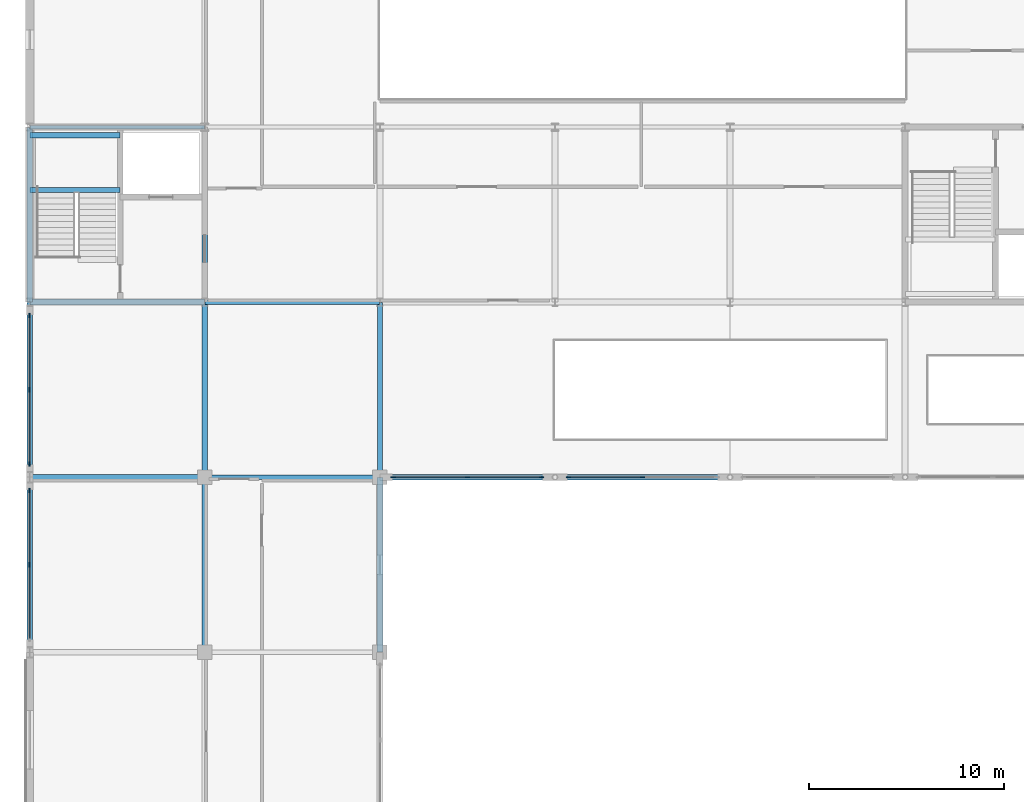
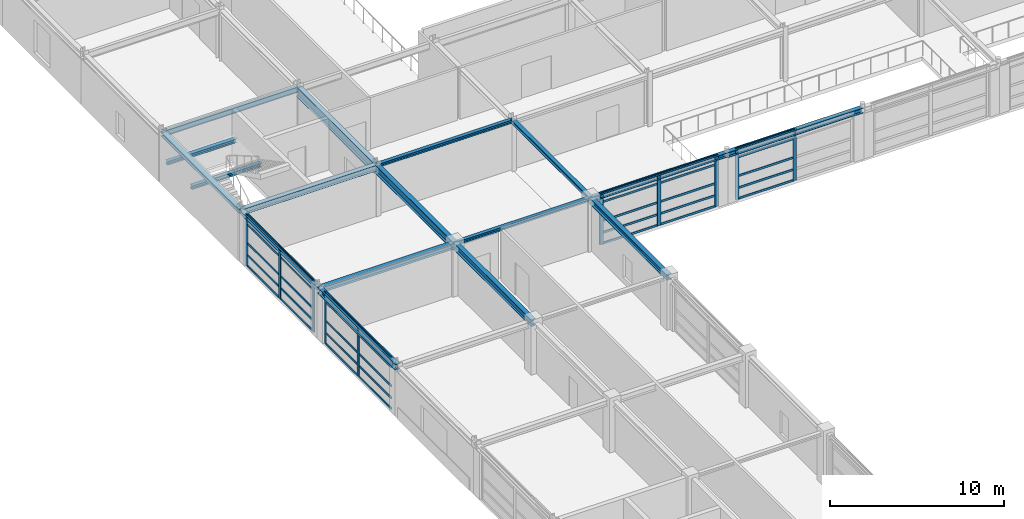
# One storey, part 31 of 79: 45 members, 17 beams, 4 elements without a shape of their own.
"""IFC4 building model written with IfcOpenShell, lengths in metres."""

from ifc_helpers import new_model, si_unit, direction, frame, origin, origin_2d, place, context, subcontext, project, spatial, rectangle, i_section, extrude, material, material_profile, profile_set, type_object, element, aggregate, save


model = new_model("IFC4")

# Units and contexts
model_context = context("Model", 3, precision=1e-05, world=origin(), true_north=direction((0.0, 1.0)))
body_context = subcontext(model_context, "Body", "Model", "MODEL_VIEW")
ifc_project = project(units=[si_unit("LENGTHUNIT", "METRE"), si_unit("AREAUNIT", "SQUARE_METRE"), si_unit("VOLUMEUNIT", "CUBIC_METRE"), si_unit("PLANEANGLEUNIT", "RADIAN"), si_unit("MASSUNIT", "GRAM", prefix="KILO")], contexts=[model_context])

# Site, building, storey
site_placement = place(None, origin())
site = spatial("IfcSite", under=ifc_project, at=site_placement, CompositionType="ELEMENT")
building_placement = place(site_placement, origin())
building = spatial("IfcBuilding", under=site, at=building_placement, Name="Palais des Congres Ocreval", CompositionType="ELEMENT")
storey_placement = place(building_placement, frame((0.0, 0.0, 4.320068359375)))
storey = spatial("IfcBuildingStorey", under=building, at=storey_placement, Name="L01", CompositionType="ELEMENT", Elevation=4.320068359375)

# Beam
ifc_material_1 = material(Name="Steel S355", Category="steel")
ifc_material_profile_1 = material_profile(ifc_material_1, i_section(OverallWidth=0.179931640625, OverallDepth=0.39990234375, WebThickness=0.008544921875, FlangeThickness=0.013427734375, at=origin_2d()), Name="IPE 400")
ifc_profile_set_1 = profile_set([ifc_material_profile_1], Name="Steel S355")
beam_type_1 = type_object("IfcBeamType", Name="Composite Beam IPE 400 Steel S355", PredefinedType="BEAM", material=ifc_profile_set_1)
beam_1_placement = place(storey_placement, frame((0.02001953125, 90.0, 3.3798828125), z_axis=(1.0, 0.0, 0.0), x_axis=(0.0, 1.0, 0.0)))
element("IfcBeam", 1, at=beam_1_placement, inside=storey, type_object=beam_type_1, Name="Beam B02 L01", PredefinedType="BEAM", context=body_context, shape_type="SweptSolid", body=[
    extrude(i_section(OverallWidth=0.179931640625, OverallDepth=0.39990234375, WebThickness=0.008544921875, FlangeThickness=0.013427734375, at=origin_2d()), origin(), (0.0, 0.0, 1.0), 8.9599609375),
])

# Curtain wall, members
ifc_material_2 = material(Name="Anodized bronze aluminium and low-E glass", Category="glass")
curtain_wall_type = type_object("IfcCurtainWallType", Name="Unitised Curtain Wall 7900x3660", PredefinedType="USERDEFINED", material=ifc_material_2)
curtain_wall_1_placement = place(storey_placement, origin())
curtain_wall_1 = element("IfcCurtainWall", 2, at=curtain_wall_1_placement, inside=storey, type_object=curtain_wall_type, Name="Unitised Curtain Wall CW02 L01", ObjectType="UNITISED CURTAIN WALL", PredefinedType="USERDEFINED")
ifc_material_3 = material(Name="Anodized bronze aluminium", Category="aluminium")
ifc_material_profile_2 = material_profile(ifc_material_3, rectangle(XDim=0.074951171875, YDim=0.239990234375, at=origin_2d()), Name="ALU 75x240")
ifc_profile_set_2 = profile_set([ifc_material_profile_2], Name="Anodized bronze aluminium")
member_type_1 = type_object("IfcMemberType", Name="Curtain Wall Mullion ALU 75x240", PredefinedType="MULLION", material=ifc_profile_set_2)
member_1_placement = place(storey_placement, frame((0.0, 67.5, 0.0), z_axis=(0.0, 0.0, 1.0), x_axis=(-1.0, 0.0, 0.0)))
member_1 = element("IfcMember", 3, at=member_1_placement, type_object=member_type_1, Name="Curtain Wall Mullion ML01", PredefinedType="MULLION", context=body_context, shape_type="SweptSolid", body=[
    extrude(rectangle(XDim=0.074951171875, YDim=0.239990234375, at=origin_2d()), origin(), (0.0, 0.0, 1.0), 3.599853515625),
])
member_2_placement = place(storey_placement, frame((0.0, 71.3125, 0.0), z_axis=(0.0, 0.0, 1.0), x_axis=(-1.0, 0.0, 0.0)))
member_2 = element("IfcMember", 4, at=member_2_placement, type_object=member_type_1, Name="Curtain Wall Mullion ML01", PredefinedType="MULLION", context=body_context, shape_type="SweptSolid", body=[
    extrude(rectangle(XDim=0.074951171875, YDim=0.239990234375, at=origin_2d()), origin(), (0.0, 0.0, 1.0), 3.599853515625),
])

curtain_wall_2_placement = place(storey_placement, origin())
curtain_wall_2 = element("IfcCurtainWall", 5, at=curtain_wall_2_placement, inside=storey, type_object=curtain_wall_type, Name="Unitised Curtain Wall CW02 L01", ObjectType="UNITISED CURTAIN WALL", PredefinedType="USERDEFINED")
member_3_placement = place(storey_placement, frame((0.0, 72.6875, 0.0), z_axis=(0.0, 0.0, 1.0), x_axis=(-1.0, 0.0, 0.0)))
member_3 = element("IfcMember", 6, at=member_3_placement, type_object=member_type_1, Name="Curtain Wall Mullion ML01", PredefinedType="MULLION", context=body_context, shape_type="SweptSolid", body=[
    extrude(rectangle(XDim=0.074951171875, YDim=0.239990234375, at=origin_2d()), origin(), (0.0, 0.0, 1.0), 3.58984375),
])
member_4_placement = place(storey_placement, frame((0.0, 76.5, 0.0), z_axis=(0.0, 0.0, 1.0), x_axis=(-1.0, 0.0, 0.0)))
member_4 = element("IfcMember", 7, at=member_4_placement, type_object=member_type_1, Name="Curtain Wall Mullion ML01", PredefinedType="MULLION", context=body_context, shape_type="SweptSolid", body=[
    extrude(rectangle(XDim=0.074951171875, YDim=0.239990234375, at=origin_2d()), origin(), (0.0, 0.0, 1.0), 3.58984375),
])
member_5_placement = place(storey_placement, frame((0.0, 80.3125, 0.0), z_axis=(0.0, 0.0, 1.0), x_axis=(-1.0, 0.0, 0.0)))
member_5 = element("IfcMember", 8, at=member_5_placement, type_object=member_type_1, Name="Curtain Wall Mullion ML01", PredefinedType="MULLION", context=body_context, shape_type="SweptSolid", body=[
    extrude(rectangle(XDim=0.074951171875, YDim=0.239990234375, at=origin_2d()), origin(), (0.0, 0.0, 1.0), 3.58984375),
])

curtain_wall_3_placement = place(storey_placement, origin())
curtain_wall_3 = element("IfcCurtainWall", 9, at=curtain_wall_3_placement, inside=storey, type_object=curtain_wall_type, Name="Unitised Curtain Wall CW02 L01", ObjectType="UNITISED CURTAIN WALL", PredefinedType="USERDEFINED")
member_6_placement = place(storey_placement, frame((31.5, 72.0, 0.0), z_axis=(0.0, 0.0, 1.0), x_axis=(0.0, -1.0, 0.0)))
member_6 = element("IfcMember", 10, at=member_6_placement, type_object=member_type_1, Name="Curtain Wall Mullion ML01", PredefinedType="MULLION", context=body_context, shape_type="SweptSolid", body=[
    extrude(rectangle(XDim=0.074951171875, YDim=0.239990234375, at=origin_2d()), origin(), (0.0, 0.0, 1.0), 3.58984375),
])
member_7_placement = place(storey_placement, frame((27.6875, 72.0, 0.0), z_axis=(0.0, 0.0, 1.0), x_axis=(0.0, -1.0, 0.0)))
member_7 = element("IfcMember", 11, at=member_7_placement, type_object=member_type_1, Name="Curtain Wall Mullion ML01", PredefinedType="MULLION", context=body_context, shape_type="SweptSolid", body=[
    extrude(rectangle(XDim=0.074951171875, YDim=0.239990234375, at=origin_2d()), origin(), (0.0, 0.0, 1.0), 3.58984375),
])

curtain_wall_4_placement = place(storey_placement, origin())
curtain_wall_4 = element("IfcCurtainWall", 12, at=curtain_wall_4_placement, inside=storey, type_object=curtain_wall_type, Name="Unitised Curtain Wall CW02 L01", ObjectType="UNITISED CURTAIN WALL", PredefinedType="USERDEFINED")
member_8_placement = place(storey_placement, frame((26.3125, 72.0, 0.0), z_axis=(0.0, 0.0, 1.0), x_axis=(0.0, -1.0, 0.0)))
member_8 = element("IfcMember", 13, at=member_8_placement, type_object=member_type_1, Name="Curtain Wall Mullion ML01", PredefinedType="MULLION", context=body_context, shape_type="SweptSolid", body=[
    extrude(rectangle(XDim=0.074951171875, YDim=0.239990234375, at=origin_2d()), origin(), (0.0, 0.0, 1.0), 3.58984375),
])
member_9_placement = place(storey_placement, frame((22.5, 72.0, 0.0), z_axis=(0.0, 0.0, 1.0), x_axis=(0.0, -1.0, 0.0)))
member_9 = element("IfcMember", 14, at=member_9_placement, type_object=member_type_1, Name="Curtain Wall Mullion ML01", PredefinedType="MULLION", context=body_context, shape_type="SweptSolid", body=[
    extrude(rectangle(XDim=0.074951171875, YDim=0.239990234375, at=origin_2d()), origin(), (0.0, 0.0, 1.0), 3.58984375),
])
member_10_placement = place(storey_placement, frame((18.6875, 72.0, 0.0), z_axis=(0.0, 0.0, 1.0), x_axis=(0.0, -1.0, 0.0)))
member_10 = element("IfcMember", 15, at=member_10_placement, type_object=member_type_1, Name="Curtain Wall Mullion ML01", PredefinedType="MULLION", context=body_context, shape_type="SweptSolid", body=[
    extrude(rectangle(XDim=0.074951171875, YDim=0.239990234375, at=origin_2d()), origin(), (0.0, 0.0, 1.0), 3.58984375),
])

# Member
ifc_material_profile_3 = material_profile(ifc_material_3, rectangle(XDim=0.06005859375, YDim=0.14990234375, at=origin_2d()), Name="ALU 60x150")
ifc_profile_set_3 = profile_set([ifc_material_profile_3], Name="Anodized bronze aluminium")
member_type_2 = type_object("IfcMemberType", Name="Curtain Wall Transom ALU 60x150", PredefinedType="USERDEFINED", material=ifc_profile_set_3)
member_11_placement = place(storey_placement, frame((0.0, 63.72509765625, 0.030029296875), z_axis=(0.0, 1.0, 0.0), x_axis=(-1.0, 0.0, 0.0)))
member_11 = element("IfcMember", 16, at=member_11_placement, type_object=member_type_2, Name="Curtain Wall Transom TR01", ObjectType="TRANSOM", PredefinedType="USERDEFINED", context=body_context, shape_type="SweptSolid", body=[
    extrude(rectangle(XDim=0.06005859375, YDim=0.14990234375, at=origin_2d()), origin(), (0.0, 0.0, 1.0), 3.7373046875),
])

member_12_placement = place(storey_placement, frame((0.0, 63.72509765625, 0.780029296875), z_axis=(0.0, 1.0, 0.0), x_axis=(-1.0, 0.0, 0.0)))
member_12 = element("IfcMember", 17, at=member_12_placement, type_object=member_type_2, Name="Curtain Wall Transom TR01", ObjectType="TRANSOM", PredefinedType="USERDEFINED", context=body_context, shape_type="SweptSolid", body=[
    extrude(rectangle(XDim=0.06005859375, YDim=0.14990234375, at=origin_2d()), origin(), (0.0, 0.0, 1.0), 3.7373046875),
])

member_13_placement = place(storey_placement, frame((0.0, 63.72509765625, 1.622314453125), z_axis=(0.0, 1.0, 0.0), x_axis=(-1.0, 0.0, 0.0)))
member_13 = element("IfcMember", 18, at=member_13_placement, type_object=member_type_2, Name="Curtain Wall Transom TR01", ObjectType="TRANSOM", PredefinedType="USERDEFINED", context=body_context, shape_type="SweptSolid", body=[
    extrude(rectangle(XDim=0.06005859375, YDim=0.14990234375, at=origin_2d()), origin(), (0.0, 0.0, 1.0), 3.7373046875),
])

member_14_placement = place(storey_placement, frame((0.0, 63.72509765625, 2.949951171875), z_axis=(0.0, 1.0, 0.0), x_axis=(-1.0, 0.0, 0.0)))
member_14 = element("IfcMember", 19, at=member_14_placement, type_object=member_type_2, Name="Curtain Wall Transom TR01", ObjectType="TRANSOM", PredefinedType="USERDEFINED", context=body_context, shape_type="SweptSolid", body=[
    extrude(rectangle(XDim=0.06005859375, YDim=0.14990234375, at=origin_2d()), origin(), (0.0, 0.0, 1.0), 3.7373046875),
])

member_15_placement = place(storey_placement, frame((0.0, 63.72509765625, 3.56982421875), z_axis=(0.0, 1.0, 0.0), x_axis=(-1.0, 0.0, 0.0)))
member_15 = element("IfcMember", 20, at=member_15_placement, type_object=member_type_2, Name="Curtain Wall Transom TR01", ObjectType="TRANSOM", PredefinedType="USERDEFINED", context=body_context, shape_type="SweptSolid", body=[
    extrude(rectangle(XDim=0.06005859375, YDim=0.14990234375, at=origin_2d()), origin(), (0.0, 0.0, 1.0), 3.7373046875),
])

member_16_placement = place(storey_placement, frame((0.0, 67.53759765625, 0.030029296875), z_axis=(0.0, 1.0, 0.0), x_axis=(-1.0, 0.0, 0.0)))
member_16 = element("IfcMember", 21, at=member_16_placement, type_object=member_type_2, Name="Curtain Wall Transom TR01", ObjectType="TRANSOM", PredefinedType="USERDEFINED", context=body_context, shape_type="SweptSolid", body=[
    extrude(rectangle(XDim=0.06005859375, YDim=0.14990234375, at=origin_2d()), origin(), (0.0, 0.0, 1.0), 3.7373046875),
])

member_17_placement = place(storey_placement, frame((0.0, 67.53759765625, 0.780029296875), z_axis=(0.0, 1.0, 0.0), x_axis=(-1.0, 0.0, 0.0)))
member_17 = element("IfcMember", 22, at=member_17_placement, type_object=member_type_2, Name="Curtain Wall Transom TR01", ObjectType="TRANSOM", PredefinedType="USERDEFINED", context=body_context, shape_type="SweptSolid", body=[
    extrude(rectangle(XDim=0.06005859375, YDim=0.14990234375, at=origin_2d()), origin(), (0.0, 0.0, 1.0), 3.7373046875),
])

member_18_placement = place(storey_placement, frame((0.0, 67.53759765625, 1.622314453125), z_axis=(0.0, 1.0, 0.0), x_axis=(-1.0, 0.0, 0.0)))
member_18 = element("IfcMember", 23, at=member_18_placement, type_object=member_type_2, Name="Curtain Wall Transom TR01", ObjectType="TRANSOM", PredefinedType="USERDEFINED", context=body_context, shape_type="SweptSolid", body=[
    extrude(rectangle(XDim=0.06005859375, YDim=0.14990234375, at=origin_2d()), origin(), (0.0, 0.0, 1.0), 3.7373046875),
])

member_19_placement = place(storey_placement, frame((0.0, 67.53759765625, 2.949951171875), z_axis=(0.0, 1.0, 0.0), x_axis=(-1.0, 0.0, 0.0)))
member_19 = element("IfcMember", 24, at=member_19_placement, type_object=member_type_2, Name="Curtain Wall Transom TR01", ObjectType="TRANSOM", PredefinedType="USERDEFINED", context=body_context, shape_type="SweptSolid", body=[
    extrude(rectangle(XDim=0.06005859375, YDim=0.14990234375, at=origin_2d()), origin(), (0.0, 0.0, 1.0), 3.7373046875),
])

member_20_placement = place(storey_placement, frame((0.0, 67.53759765625, 3.56982421875), z_axis=(0.0, 1.0, 0.0), x_axis=(-1.0, 0.0, 0.0)))
member_20 = element("IfcMember", 25, at=member_20_placement, type_object=member_type_2, Name="Curtain Wall Transom TR01", ObjectType="TRANSOM", PredefinedType="USERDEFINED", context=body_context, shape_type="SweptSolid", body=[
    extrude(rectangle(XDim=0.06005859375, YDim=0.14990234375, at=origin_2d()), origin(), (0.0, 0.0, 1.0), 3.7373046875),
])

aggregate(curtain_wall_1, [member_1, member_2, member_11, member_12, member_13, member_14, member_15, member_16, member_17, member_18, member_19, member_20])

member_21_placement = place(storey_placement, frame((0.0, 72.72509765625, 0.030029296875), z_axis=(0.0, 1.0, 0.0), x_axis=(-1.0, 0.0, 0.0)))
member_21 = element("IfcMember", 26, at=member_21_placement, type_object=member_type_2, Name="Curtain Wall Transom TR01", ObjectType="TRANSOM", PredefinedType="USERDEFINED", context=body_context, shape_type="SweptSolid", body=[
    extrude(rectangle(XDim=0.06005859375, YDim=0.14990234375, at=origin_2d()), origin(), (0.0, 0.0, 1.0), 3.7373046875),
])

member_22_placement = place(storey_placement, frame((0.0, 72.72509765625, 0.780029296875), z_axis=(0.0, 1.0, 0.0), x_axis=(-1.0, 0.0, 0.0)))
member_22 = element("IfcMember", 27, at=member_22_placement, type_object=member_type_2, Name="Curtain Wall Transom TR01", ObjectType="TRANSOM", PredefinedType="USERDEFINED", context=body_context, shape_type="SweptSolid", body=[
    extrude(rectangle(XDim=0.06005859375, YDim=0.14990234375, at=origin_2d()), origin(), (0.0, 0.0, 1.0), 3.7373046875),
])

member_23_placement = place(storey_placement, frame((0.0, 72.72509765625, 1.616943359375), z_axis=(0.0, 1.0, 0.0), x_axis=(-1.0, 0.0, 0.0)))
member_23 = element("IfcMember", 28, at=member_23_placement, type_object=member_type_2, Name="Curtain Wall Transom TR01", ObjectType="TRANSOM", PredefinedType="USERDEFINED", context=body_context, shape_type="SweptSolid", body=[
    extrude(rectangle(XDim=0.06005859375, YDim=0.14990234375, at=origin_2d()), origin(), (0.0, 0.0, 1.0), 3.7373046875),
])

member_24_placement = place(storey_placement, frame((0.0, 72.72509765625, 2.93994140625), z_axis=(0.0, 1.0, 0.0), x_axis=(-1.0, 0.0, 0.0)))
member_24 = element("IfcMember", 29, at=member_24_placement, type_object=member_type_2, Name="Curtain Wall Transom TR01", ObjectType="TRANSOM", PredefinedType="USERDEFINED", context=body_context, shape_type="SweptSolid", body=[
    extrude(rectangle(XDim=0.06005859375, YDim=0.14990234375, at=origin_2d()), origin(), (0.0, 0.0, 1.0), 3.7373046875),
])

member_25_placement = place(storey_placement, frame((0.0, 72.72509765625, 3.559814453125), z_axis=(0.0, 1.0, 0.0), x_axis=(-1.0, 0.0, 0.0)))
member_25 = element("IfcMember", 30, at=member_25_placement, type_object=member_type_2, Name="Curtain Wall Transom TR01", ObjectType="TRANSOM", PredefinedType="USERDEFINED", context=body_context, shape_type="SweptSolid", body=[
    extrude(rectangle(XDim=0.06005859375, YDim=0.14990234375, at=origin_2d()), origin(), (0.0, 0.0, 1.0), 3.7373046875),
])

member_26_placement = place(storey_placement, frame((0.0, 76.53759765625, 0.030029296875), z_axis=(0.0, 1.0, 0.0), x_axis=(-1.0, 0.0, 0.0)))
member_26 = element("IfcMember", 31, at=member_26_placement, type_object=member_type_2, Name="Curtain Wall Transom TR01", ObjectType="TRANSOM", PredefinedType="USERDEFINED", context=body_context, shape_type="SweptSolid", body=[
    extrude(rectangle(XDim=0.06005859375, YDim=0.14990234375, at=origin_2d()), origin(), (0.0, 0.0, 1.0), 3.7373046875),
])

member_27_placement = place(storey_placement, frame((0.0, 76.53759765625, 0.780029296875), z_axis=(0.0, 1.0, 0.0), x_axis=(-1.0, 0.0, 0.0)))
member_27 = element("IfcMember", 32, at=member_27_placement, type_object=member_type_2, Name="Curtain Wall Transom TR01", ObjectType="TRANSOM", PredefinedType="USERDEFINED", context=body_context, shape_type="SweptSolid", body=[
    extrude(rectangle(XDim=0.06005859375, YDim=0.14990234375, at=origin_2d()), origin(), (0.0, 0.0, 1.0), 3.7373046875),
])

member_28_placement = place(storey_placement, frame((0.0, 76.53759765625, 1.616943359375), z_axis=(0.0, 1.0, 0.0), x_axis=(-1.0, 0.0, 0.0)))
member_28 = element("IfcMember", 33, at=member_28_placement, type_object=member_type_2, Name="Curtain Wall Transom TR01", ObjectType="TRANSOM", PredefinedType="USERDEFINED", context=body_context, shape_type="SweptSolid", body=[
    extrude(rectangle(XDim=0.06005859375, YDim=0.14990234375, at=origin_2d()), origin(), (0.0, 0.0, 1.0), 3.7373046875),
])

member_29_placement = place(storey_placement, frame((0.0, 76.53759765625, 2.93994140625), z_axis=(0.0, 1.0, 0.0), x_axis=(-1.0, 0.0, 0.0)))
member_29 = element("IfcMember", 34, at=member_29_placement, type_object=member_type_2, Name="Curtain Wall Transom TR01", ObjectType="TRANSOM", PredefinedType="USERDEFINED", context=body_context, shape_type="SweptSolid", body=[
    extrude(rectangle(XDim=0.06005859375, YDim=0.14990234375, at=origin_2d()), origin(), (0.0, 0.0, 1.0), 3.7373046875),
])

member_30_placement = place(storey_placement, frame((0.0, 76.53759765625, 3.559814453125), z_axis=(0.0, 1.0, 0.0), x_axis=(-1.0, 0.0, 0.0)))
member_30 = element("IfcMember", 35, at=member_30_placement, type_object=member_type_2, Name="Curtain Wall Transom TR01", ObjectType="TRANSOM", PredefinedType="USERDEFINED", context=body_context, shape_type="SweptSolid", body=[
    extrude(rectangle(XDim=0.06005859375, YDim=0.14990234375, at=origin_2d()), origin(), (0.0, 0.0, 1.0), 3.7373046875),
])

aggregate(curtain_wall_2, [member_3, member_4, member_5, member_21, member_22, member_23, member_24, member_25, member_26, member_27, member_28, member_29, member_30])

member_31_placement = place(storey_placement, frame((31.46240234375, 72.0, 0.030029296875), z_axis=(-1.0, 0.0, 0.0), x_axis=(0.0, -1.0, 0.0)))
member_31 = element("IfcMember", 36, at=member_31_placement, type_object=member_type_2, Name="Curtain Wall Transom TR01", ObjectType="TRANSOM", PredefinedType="USERDEFINED", context=body_context, shape_type="SweptSolid", body=[
    extrude(rectangle(XDim=0.06005859375, YDim=0.14990234375, at=origin_2d()), origin(), (0.0, 0.0, 1.0), 3.7373046875),
])

member_32_placement = place(storey_placement, frame((31.46240234375, 72.0, 0.780029296875), z_axis=(-1.0, 0.0, 0.0), x_axis=(0.0, -1.0, 0.0)))
member_32 = element("IfcMember", 37, at=member_32_placement, type_object=member_type_2, Name="Curtain Wall Transom TR01", ObjectType="TRANSOM", PredefinedType="USERDEFINED", context=body_context, shape_type="SweptSolid", body=[
    extrude(rectangle(XDim=0.06005859375, YDim=0.14990234375, at=origin_2d()), origin(), (0.0, 0.0, 1.0), 3.7373046875),
])

member_33_placement = place(storey_placement, frame((31.46240234375, 72.0, 1.616943359375), z_axis=(-1.0, 0.0, 0.0), x_axis=(0.0, -1.0, 0.0)))
member_33 = element("IfcMember", 38, at=member_33_placement, type_object=member_type_2, Name="Curtain Wall Transom TR01", ObjectType="TRANSOM", PredefinedType="USERDEFINED", context=body_context, shape_type="SweptSolid", body=[
    extrude(rectangle(XDim=0.06005859375, YDim=0.14990234375, at=origin_2d()), origin(), (0.0, 0.0, 1.0), 3.7373046875),
])

member_34_placement = place(storey_placement, frame((31.46240234375, 72.0, 2.93994140625), z_axis=(-1.0, 0.0, 0.0), x_axis=(0.0, -1.0, 0.0)))
member_34 = element("IfcMember", 39, at=member_34_placement, type_object=member_type_2, Name="Curtain Wall Transom TR01", ObjectType="TRANSOM", PredefinedType="USERDEFINED", context=body_context, shape_type="SweptSolid", body=[
    extrude(rectangle(XDim=0.06005859375, YDim=0.14990234375, at=origin_2d()), origin(), (0.0, 0.0, 1.0), 3.7373046875),
])

member_35_placement = place(storey_placement, frame((31.46240234375, 72.0, 3.559814453125), z_axis=(-1.0, 0.0, 0.0), x_axis=(0.0, -1.0, 0.0)))
member_35 = element("IfcMember", 40, at=member_35_placement, type_object=member_type_2, Name="Curtain Wall Transom TR01", ObjectType="TRANSOM", PredefinedType="USERDEFINED", context=body_context, shape_type="SweptSolid", body=[
    extrude(rectangle(XDim=0.06005859375, YDim=0.14990234375, at=origin_2d()), origin(), (0.0, 0.0, 1.0), 3.7373046875),
])

aggregate(curtain_wall_3, [member_6, member_7, member_31, member_32, member_33, member_34, member_35])

member_36_placement = place(storey_placement, frame((26.27490234375, 72.0, 0.030029296875), z_axis=(-1.0, 0.0, 0.0), x_axis=(0.0, -1.0, 0.0)))
member_36 = element("IfcMember", 41, at=member_36_placement, type_object=member_type_2, Name="Curtain Wall Transom TR01", ObjectType="TRANSOM", PredefinedType="USERDEFINED", context=body_context, shape_type="SweptSolid", body=[
    extrude(rectangle(XDim=0.06005859375, YDim=0.14990234375, at=origin_2d()), origin(), (0.0, 0.0, 1.0), 3.7373046875),
])

member_37_placement = place(storey_placement, frame((26.27490234375, 72.0, 0.780029296875), z_axis=(-1.0, 0.0, 0.0), x_axis=(0.0, -1.0, 0.0)))
member_37 = element("IfcMember", 42, at=member_37_placement, type_object=member_type_2, Name="Curtain Wall Transom TR01", ObjectType="TRANSOM", PredefinedType="USERDEFINED", context=body_context, shape_type="SweptSolid", body=[
    extrude(rectangle(XDim=0.06005859375, YDim=0.14990234375, at=origin_2d()), origin(), (0.0, 0.0, 1.0), 3.7373046875),
])

member_38_placement = place(storey_placement, frame((26.27490234375, 72.0, 1.616943359375), z_axis=(-1.0, 0.0, 0.0), x_axis=(0.0, -1.0, 0.0)))
member_38 = element("IfcMember", 43, at=member_38_placement, type_object=member_type_2, Name="Curtain Wall Transom TR01", ObjectType="TRANSOM", PredefinedType="USERDEFINED", context=body_context, shape_type="SweptSolid", body=[
    extrude(rectangle(XDim=0.06005859375, YDim=0.14990234375, at=origin_2d()), origin(), (0.0, 0.0, 1.0), 3.7373046875),
])

member_39_placement = place(storey_placement, frame((26.27490234375, 72.0, 2.93994140625), z_axis=(-1.0, 0.0, 0.0), x_axis=(0.0, -1.0, 0.0)))
member_39 = element("IfcMember", 44, at=member_39_placement, type_object=member_type_2, Name="Curtain Wall Transom TR01", ObjectType="TRANSOM", PredefinedType="USERDEFINED", context=body_context, shape_type="SweptSolid", body=[
    extrude(rectangle(XDim=0.06005859375, YDim=0.14990234375, at=origin_2d()), origin(), (0.0, 0.0, 1.0), 3.7373046875),
])

member_40_placement = place(storey_placement, frame((26.27490234375, 72.0, 3.559814453125), z_axis=(-1.0, 0.0, 0.0), x_axis=(0.0, -1.0, 0.0)))
member_40 = element("IfcMember", 45, at=member_40_placement, type_object=member_type_2, Name="Curtain Wall Transom TR01", ObjectType="TRANSOM", PredefinedType="USERDEFINED", context=body_context, shape_type="SweptSolid", body=[
    extrude(rectangle(XDim=0.06005859375, YDim=0.14990234375, at=origin_2d()), origin(), (0.0, 0.0, 1.0), 3.7373046875),
])

member_41_placement = place(storey_placement, frame((22.46240234375, 72.0, 0.030029296875), z_axis=(-1.0, 0.0, 0.0), x_axis=(0.0, -1.0, 0.0)))
member_41 = element("IfcMember", 46, at=member_41_placement, type_object=member_type_2, Name="Curtain Wall Transom TR01", ObjectType="TRANSOM", PredefinedType="USERDEFINED", context=body_context, shape_type="SweptSolid", body=[
    extrude(rectangle(XDim=0.06005859375, YDim=0.14990234375, at=origin_2d()), origin(), (0.0, 0.0, 1.0), 3.7373046875),
])

member_42_placement = place(storey_placement, frame((22.46240234375, 72.0, 0.780029296875), z_axis=(-1.0, 0.0, 0.0), x_axis=(0.0, -1.0, 0.0)))
member_42 = element("IfcMember", 47, at=member_42_placement, type_object=member_type_2, Name="Curtain Wall Transom TR01", ObjectType="TRANSOM", PredefinedType="USERDEFINED", context=body_context, shape_type="SweptSolid", body=[
    extrude(rectangle(XDim=0.06005859375, YDim=0.14990234375, at=origin_2d()), origin(), (0.0, 0.0, 1.0), 3.7373046875),
])

member_43_placement = place(storey_placement, frame((22.46240234375, 72.0, 1.616943359375), z_axis=(-1.0, 0.0, 0.0), x_axis=(0.0, -1.0, 0.0)))
member_43 = element("IfcMember", 48, at=member_43_placement, type_object=member_type_2, Name="Curtain Wall Transom TR01", ObjectType="TRANSOM", PredefinedType="USERDEFINED", context=body_context, shape_type="SweptSolid", body=[
    extrude(rectangle(XDim=0.06005859375, YDim=0.14990234375, at=origin_2d()), origin(), (0.0, 0.0, 1.0), 3.7373046875),
])

member_44_placement = place(storey_placement, frame((22.46240234375, 72.0, 2.93994140625), z_axis=(-1.0, 0.0, 0.0), x_axis=(0.0, -1.0, 0.0)))
member_44 = element("IfcMember", 49, at=member_44_placement, type_object=member_type_2, Name="Curtain Wall Transom TR01", ObjectType="TRANSOM", PredefinedType="USERDEFINED", context=body_context, shape_type="SweptSolid", body=[
    extrude(rectangle(XDim=0.06005859375, YDim=0.14990234375, at=origin_2d()), origin(), (0.0, 0.0, 1.0), 3.7373046875),
])

member_45_placement = place(storey_placement, frame((22.46240234375, 72.0, 3.559814453125), z_axis=(-1.0, 0.0, 0.0), x_axis=(0.0, -1.0, 0.0)))
member_45 = element("IfcMember", 50, at=member_45_placement, type_object=member_type_2, Name="Curtain Wall Transom TR01", ObjectType="TRANSOM", PredefinedType="USERDEFINED", context=body_context, shape_type="SweptSolid", body=[
    extrude(rectangle(XDim=0.06005859375, YDim=0.14990234375, at=origin_2d()), origin(), (0.0, 0.0, 1.0), 3.7373046875),
])

aggregate(curtain_wall_4, [member_8, member_9, member_10, member_36, member_37, member_38, member_39, member_40, member_41, member_42, member_43, member_44, member_45])

# Beams
ifc_material_profile_4 = material_profile(ifc_material_1, i_section(OverallWidth=0.260009765625, OverallDepth=0.260009765625, WebThickness=0.010009765625, FlangeThickness=0.017578125, at=origin_2d()), Name="HEB 260")
ifc_profile_set_4 = profile_set([ifc_material_profile_4], Name="Steel S355")
beam_type_2 = type_object("IfcBeamType", Name="Opening Lintel HEB 260 Steel S355", PredefinedType="LINTEL", material=ifc_profile_set_4)
for number, where, z_axis, x_axis, name in (
    (51, (0.0, 72.02001953125, 3.449951171875), (0.0, 1.0, 0.0), (-1.0, 0.0, 0.0), "Girder LN01 L01"),
    (52, (18.0, 72.02001953125, 3.449951171875), (0.0, 1.0, 0.0), (-1.0, 0.0, 0.0), "Girder LN01 L01"),
):
    element("IfcBeam", number, at=place(storey_placement, frame(where, z_axis=z_axis, x_axis=x_axis)), inside=storey, type_object=beam_type_2, Name=name, PredefinedType="LINTEL", context=body_context, shape_type="SweptSolid", body=[
        extrude(i_section(OverallWidth=0.260009765625, OverallDepth=0.260009765625, WebThickness=0.010009765625, FlangeThickness=0.017578125, at=origin_2d()), origin(), (0.0, 0.0, 1.0), 8.9599609375),
    ])
for number, where, z_axis, x_axis, name in (
    (53, (0.02001953125, 86.77001953125, 1.58984375), (1.0, 0.0, 0.0), (0.0, 1.0, 0.0), "Stair Landing Support Beam ST05 L01-1"),
    (54, (0.02001953125, 89.580078125, 1.58984375), (1.0, 0.0, 0.0), (0.0, 1.0, 0.0), "Stair Landing Support Beam ST05 L01-2"),
):
    element("IfcBeam", number, at=place(storey_placement, frame(where, z_axis=z_axis, x_axis=x_axis)), inside=storey, type_object=beam_type_2, Name=name, PredefinedType="LINTEL", context=body_context, shape_type="SweptSolid", body=[
        extrude(i_section(OverallWidth=0.260009765625, OverallDepth=0.260009765625, WebThickness=0.010009765625, FlangeThickness=0.017578125, at=origin_2d()), origin(), (0.0, 0.0, 1.0), 4.60986328125),
    ])
ifc_material_profile_5 = material_profile(ifc_material_1, i_section(OverallWidth=0.239990234375, OverallDepth=0.22998046875, WebThickness=0.007568359375, FlangeThickness=0.011962890625, at=origin_2d()), Name="HEA 240")
ifc_profile_set_5 = profile_set([ifc_material_profile_5], Name="Steel S355")
beam_type_3 = type_object("IfcBeamType", Name="Perimeter Spandrel HEA 240 Steel S355", PredefinedType="SPANDREL", material=ifc_profile_set_5)
for number, where, z_axis, x_axis, name in (
    (55, (9.02001953125, 72.0, 3.46484375), (1.0, 0.0, 0.0), (0.0, 1.0, 0.0), "Beam SP01 L01"),
    (56, (9.02001953125, 81.0, 3.46484375), (1.0, 0.0, 0.0), (0.0, 1.0, 0.0), "Beam SP01 L01"),
):
    element("IfcBeam", number, at=place(storey_placement, frame(where, z_axis=z_axis, x_axis=x_axis)), inside=storey, type_object=beam_type_3, Name=name, PredefinedType="SPANDREL", context=body_context, shape_type="SweptSolid", body=[
        extrude(i_section(OverallWidth=0.239990234375, OverallDepth=0.22998046875, WebThickness=0.007568359375, FlangeThickness=0.011962890625, at=origin_2d()), origin(), (0.0, 0.0, 1.0), 8.9599609375),
    ])
ifc_material_profile_6 = material_profile(ifc_material_1, i_section(OverallWidth=0.300048828125, OverallDepth=0.300048828125, WebThickness=0.010986328125, FlangeThickness=0.01904296875, at=origin_2d()), Name="HEB 300")
ifc_profile_set_6 = profile_set([ifc_material_profile_6], Name="Steel S355")
beam_type_4 = type_object("IfcBeamType", Name="Perimeter Spandrel HEB 300 Steel S355", PredefinedType="SPANDREL", material=ifc_profile_set_6)
for number, where, z_axis, x_axis, name in (
    (57, (0.0, 81.02001953125, 3.429931640625), (0.0, 1.0, 0.0), (-1.0, 0.0, 0.0), "Girder SP02 L01"),
    (58, (18.02001953125, 72.0, 3.429931640625), (1.0, 0.0, 0.0), (0.0, 1.0, 0.0), "Beam SP02 L01"),
):
    element("IfcBeam", number, at=place(storey_placement, frame(where, z_axis=z_axis, x_axis=x_axis)), inside=storey, type_object=beam_type_4, Name=name, PredefinedType="SPANDREL", context=body_context, shape_type="SweptSolid", body=[
        extrude(i_section(OverallWidth=0.300048828125, OverallDepth=0.300048828125, WebThickness=0.010986328125, FlangeThickness=0.01904296875, at=origin_2d()), origin(), (0.0, 0.0, 1.0), 8.9599609375),
    ])
ifc_material_profile_7 = material_profile(ifc_material_1, i_section(OverallWidth=0.300048828125, OverallDepth=0.360107421875, WebThickness=0.012451171875, FlangeThickness=0.0224609375, at=origin_2d()), Name="HEB 360")
ifc_profile_set_7 = profile_set([ifc_material_profile_7], Name="Steel S355")
beam_type_5 = type_object("IfcBeamType", Name="Perimeter Spandrel HEB 360 Steel S355", PredefinedType="SPANDREL", material=ifc_profile_set_7)
beam_2_placement = place(storey_placement, frame((27.02001953125, 72.0, 3.39990234375), z_axis=(1.0, 0.0, 0.0), x_axis=(0.0, 1.0, 0.0)))
element("IfcBeam", 59, at=beam_2_placement, inside=storey, type_object=beam_type_5, Name="Beam SP03 L01", PredefinedType="SPANDREL", context=body_context, shape_type="SweptSolid", body=[
    extrude(i_section(OverallWidth=0.300048828125, OverallDepth=0.360107421875, WebThickness=0.012451171875, FlangeThickness=0.0224609375, at=origin_2d()), origin(), (0.0, 0.0, 1.0), 8.9599609375),
])
ifc_material_profile_8 = material_profile(ifc_material_1, i_section(OverallWidth=0.300048828125, OverallDepth=0.39990234375, WebThickness=0.013427734375, FlangeThickness=0.02392578125, at=origin_2d()), Name="HEB 400")
ifc_profile_set_8 = profile_set([ifc_material_profile_8], Name="Steel S355")
beam_type_6 = type_object("IfcBeamType", Name="Perimeter Spandrel HEB 400 Steel S355", PredefinedType="SPANDREL", material=ifc_profile_set_8)
for number, where, z_axis, x_axis, name in (
    (60, (0.0, 63.02001953125, 3.3798828125), (0.0, 1.0, 0.0), (-1.0, 0.0, 0.0), "Girder SP04 L01"),
    (61, (0.02001953125, 72.0, 3.3798828125), (1.0, 0.0, 0.0), (0.0, 1.0, 0.0), "Beam SP04 L01"),
    (62, (0.02001953125, 81.0, 3.3798828125), (1.0, 0.0, 0.0), (0.0, 1.0, 0.0), "Beam SP04 L01"),
    (63, (18.0, 63.02001953125, 3.3798828125), (0.0, 1.0, 0.0), (-1.0, 0.0, 0.0), "Girder SP04 L01"),
):
    element("IfcBeam", number, at=place(storey_placement, frame(where, z_axis=z_axis, x_axis=x_axis)), inside=storey, type_object=beam_type_6, Name=name, PredefinedType="SPANDREL", context=body_context, shape_type="SweptSolid", body=[
        extrude(i_section(OverallWidth=0.300048828125, OverallDepth=0.39990234375, WebThickness=0.013427734375, FlangeThickness=0.02392578125, at=origin_2d()), origin(), (0.0, 0.0, 1.0), 8.9599609375),
    ])
ifc_material_profile_9 = material_profile(ifc_material_1, i_section(OverallWidth=0.300048828125, OverallDepth=0.489990234375, WebThickness=0.011962890625, FlangeThickness=0.02294921875, at=origin_2d()), Name="HEA 500")
ifc_profile_set_9 = profile_set([ifc_material_profile_9], Name="Steel S355")
beam_type_7 = type_object("IfcBeamType", Name="Primary Beam HEA 500 Steel S355", PredefinedType="BEAM", material=ifc_profile_set_9)
beam_3_placement = place(storey_placement, frame((9.0, 63.02001953125, 3.3349609375), z_axis=(0.0, 1.0, 0.0), x_axis=(-1.0, 0.0, 0.0)))
element("IfcBeam", 64, at=beam_3_placement, inside=storey, type_object=beam_type_7, Name="Girder B12 L01", PredefinedType="BEAM", context=body_context, shape_type="SweptSolid", body=[
    extrude(i_section(OverallWidth=0.300048828125, OverallDepth=0.489990234375, WebThickness=0.011962890625, FlangeThickness=0.02294921875, at=origin_2d()), origin(), (0.0, 0.0, 1.0), 8.9599609375),
])
ifc_material_profile_10 = material_profile(ifc_material_1, i_section(OverallWidth=0.300048828125, OverallDepth=0.590087890625, WebThickness=0.012939453125, FlangeThickness=0.02490234375, at=origin_2d()), Name="HEA 600")
ifc_profile_set_10 = profile_set([ifc_material_profile_10], Name="Steel S355")
beam_type_8 = type_object("IfcBeamType", Name="Primary Girder HEA 600 Steel S355", PredefinedType="BEAM", material=ifc_profile_set_10)
beam_4_placement = place(storey_placement, frame((9.0, 72.02001953125, 3.284912109375), z_axis=(0.0, 1.0, 0.0), x_axis=(-1.0, 0.0, 0.0)))
element("IfcBeam", 65, at=beam_4_placement, inside=storey, type_object=beam_type_8, Name="Girder B13 L01", PredefinedType="BEAM", context=body_context, shape_type="SweptSolid", body=[
    extrude(i_section(OverallWidth=0.300048828125, OverallDepth=0.590087890625, WebThickness=0.012939453125, FlangeThickness=0.02490234375, at=origin_2d()), origin(), (0.0, 0.0, 1.0), 8.9599609375),
])
ifc_material_profile_11 = material_profile(ifc_material_1, i_section(OverallWidth=0.300048828125, OverallDepth=0.68994140625, WebThickness=0.014404296875, FlangeThickness=0.027099609375, at=origin_2d()), Name="HEA 700")
ifc_profile_set_11 = profile_set([ifc_material_profile_11], Name="Steel S355")
beam_type_9 = type_object("IfcBeamType", Name="Primary Girder HEA 700 Steel S355", PredefinedType="BEAM", material=ifc_profile_set_11)
beam_5_placement = place(storey_placement, frame((9.0, 81.02001953125, 3.23486328125), z_axis=(0.0, 1.0, 0.0), x_axis=(-1.0, 0.0, 0.0)))
element("IfcBeam", 66, at=beam_5_placement, inside=storey, type_object=beam_type_9, Name="Girder B14 L01", PredefinedType="BEAM", context=body_context, shape_type="SweptSolid", body=[
    extrude(i_section(OverallWidth=0.300048828125, OverallDepth=0.68994140625, WebThickness=0.014404296875, FlangeThickness=0.027099609375, at=origin_2d()), origin(), (0.0, 0.0, 1.0), 8.9599609375),
])

save(model, "model.ifc")
